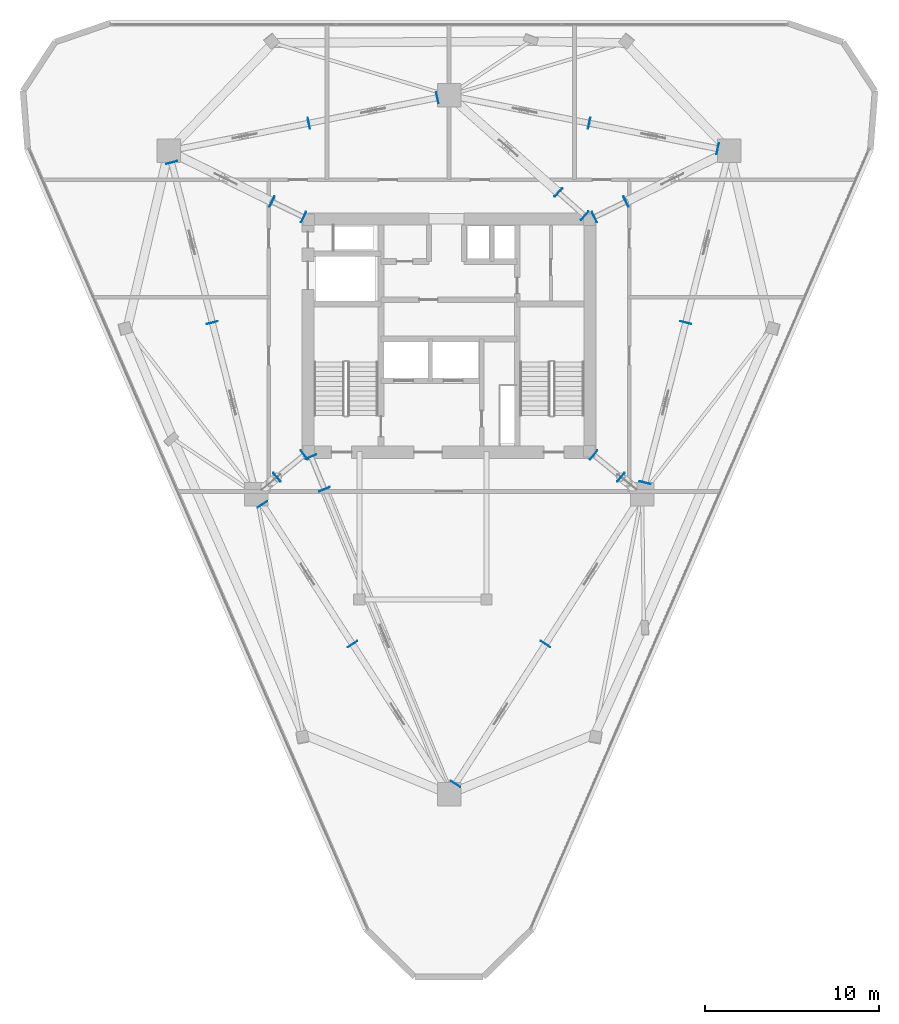
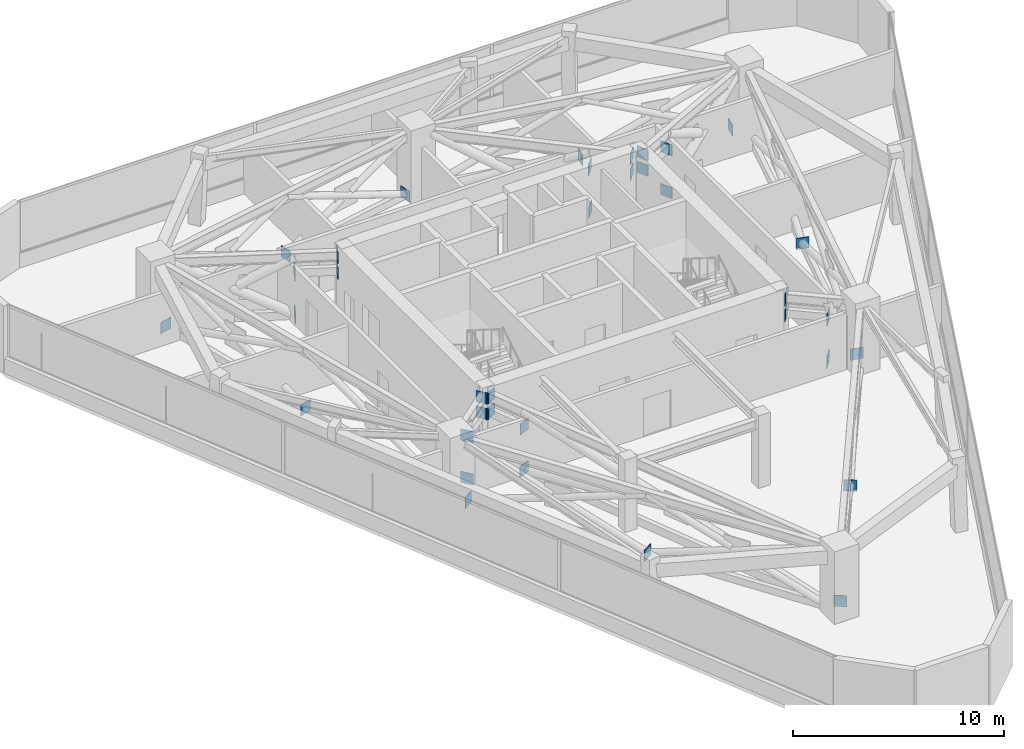
# One storey, part 9 of 12: 36 plates.
"""IFC4 building model written with IfcOpenShell, lengths in metres."""

from ifc_helpers import new_model, si_unit, direction, frame, origin, origin_2d, place, context, subcontext, project, spatial, rectangle, extrude, material, layer, layer_set, type_object, element, save


model = new_model("IFC4")

# Units and contexts
model_context = context("Model", 3, precision=1e-05, world=origin(), true_north=direction((0.0, 1.0)))
body_context = subcontext(model_context, "Body", "Model", "MODEL_VIEW")
ifc_project = project(units=[si_unit("LENGTHUNIT", "METRE"), si_unit("AREAUNIT", "SQUARE_METRE"), si_unit("VOLUMEUNIT", "CUBIC_METRE"), si_unit("PLANEANGLEUNIT", "RADIAN"), si_unit("MASSUNIT", "GRAM", prefix="KILO")], contexts=[model_context])

# Site, building, storey
site_placement = place(None, origin())
site = spatial("IfcSite", under=ifc_project, at=site_placement, CompositionType="ELEMENT")
building_placement = place(site_placement, origin())
building = spatial("IfcBuilding", under=site, at=building_placement, Name="Talyreon Biosciences Tower", CompositionType="ELEMENT")
storey_placement = place(building_placement, frame((0.0, 0.0, 223.199951171875)))
storey = spatial("IfcBuildingStorey", under=building, at=storey_placement, Name="L59", CompositionType="ELEMENT", Elevation=223.199951171875)

# Plates
ifc_material = material(Name="Steel SM355", Category="steel")
ifc_layer = layer(ifc_material, 0.028076171875)
ifc_layer_set = layer_set([ifc_layer], Name="Steel SM355")
plate_type = type_object("IfcPlateType", Name="HollowEndCapPlate_28", PredefinedType="SHEET", material=ifc_layer_set)
for number, where, z_axis, x_axis, name in (
    (1, (58.076904296875, 61.039794921875, 3.275146484375), (0.0, 0.0, 1.0), (0.925580150933, 0.378551692902, 0.0), "Truss node plate NP-L59-OC-1"),
    (2, (58.076904296875, 61.039794921875, 2.375), (0.0, 0.0, 1.0), (0.925580150933, 0.378551692902, 0.0), "Truss node plate NP-L59-OCM0-1"),
    (3, (58.844970703125, 59.161865234375, 2.375), (0.0, 0.0, 1.0), (0.925580150933, 0.378551692902, 0.0), "Truss node plate NP-L59-OCM1-1"),
    (4, (58.839599609375, 59.1748046875, -0.0849609375), (0.0, 0.0, 1.0), (0.925586757766, 0.378535538423, 0.0), "Truss node plate NP-OUT-L59-R1-E"),
    (5, (74.309814453125, 61.138671875, 3.275146484375), (0.0, 0.0, 1.0), (0.631000821652, 0.775782162127, 0.0), "Truss node plate NP-L59-OC-2"),
    (6, (74.309814453125, 61.138671875, 2.375), (0.0, 0.0, 1.0), (0.631000821652, 0.775782162127, 0.0), "Truss node plate NP-L59-OCM0-2"),
    (7, (75.884033203125, 59.8583984375, 2.375), (0.0, 0.0, 1.0), (0.631000821652, 0.775782162127, 0.0), "Truss node plate NP-L59-OCM1-2"),
    (8, (75.873046875, 59.8671875, -0.0849609375), (0.0, 0.0, 1.0), (0.631014361508, 0.775771148967, 0.0), "Truss node plate NP-OUT-L59-R2-E"),
    (9, (74.350830078125, 74.797607421875, 3.275146484375), (0.0, 0.0, 1.0), (-0.440283955252, 0.89785858505, 0.0), "Truss node plate NP-L59-OC-3"),
    (10, (74.350830078125, 74.797607421875, 2.375), (0.0, 0.0, 1.0), (-0.440283955252, 0.89785858505, 0.0), "Truss node plate NP-L59-OCM0-3"),
    (11, (76.172607421875, 75.69091796875, 2.375), (0.0, 0.0, 1.0), (-0.440283955252, 0.89785858505, 0.0), "Truss node plate NP-L59-OCM1-3"),
    (12, (76.159912109375, 75.684814453125, -0.0849609375), (0.0, 0.0, 1.0), (-0.440283955252, 0.89785858505, 0.0), "Truss node plate NP-OUT-L59-R3-E"),
    (13, (73.79931640625, 74.872314453125, 3.275146484375), (0.0, 0.0, 1.0), (-0.663495401773, -0.748180360492, 0.0), "Truss node plate NP-L59-OC-4"),
    (14, (73.79931640625, 74.872314453125, 2.375), (0.0, 0.0, 1.0), (-0.663495401773, -0.748180360492, 0.0), "Truss node plate NP-L59-OCM0-4"),
    (15, (72.28125, 76.218505859375, 2.375), (0.0, 0.0, 1.0), (-0.663495401773, -0.748180360492, 0.0), "Truss node plate NP-L59-OCM1-4"),
    (16, (72.291748046875, 76.209228515625, -0.0849609375), (0.0, 0.0, 1.0), (-0.663495401773, -0.748180360492, 0.0), "Truss node plate NP-OUT-L59-R4-E"),
    (17, (57.649169921875, 74.797607421875, 3.275146484375), (0.0, 0.0, 1.0), (-0.440283955252, -0.89785858505, 0.0), "Truss node plate NP-L59-OC-5"),
    (18, (57.649169921875, 74.797607421875, 2.375), (0.0, 0.0, 1.0), (-0.440283955252, -0.89785858505, 0.0), "Truss node plate NP-L59-OCM0-5"),
    (19, (55.827392578125, 75.69091796875, 2.375), (0.0, 0.0, 1.0), (-0.440283955252, -0.89785858505, 0.0), "Truss node plate NP-L59-OCM1-5"),
    (20, (55.840087890625, 75.684814453125, -0.0849609375), (0.0, 0.0, 1.0), (-0.440283955252, -0.89785858505, 0.0), "Truss node plate NP-OUT-L59-R5-E"),
    (21, (57.690185546875, 61.138671875, 3.275146484375), (0.0, 0.0, 1.0), (0.631000821652, -0.775782162127, 0.0), "Truss node plate NP-L59-OC-6"),
    (22, (57.690185546875, 61.138671875, 2.375), (0.0, 0.0, 1.0), (0.631000821652, -0.775782162127, 0.0), "Truss node plate NP-L59-OCM0-6"),
    (23, (56.115966796875, 59.8583984375, 2.375), (0.0, 0.0, 1.0), (0.631000821652, -0.775782162127, 0.0), "Truss node plate NP-L59-OCM1-6"),
    (24, (56.126953125, 59.8671875, -0.0849609375), (0.0, 0.0, 1.0), (0.631014361508, -0.775771148967, 0.0), "Truss node plate NP-OUT-L59-R6-E"),
    (25, (66.370849609375, 42.242919921875, -0.0849609375), (0.0, 0.0, 1.0), (-0.840727294555, 0.54145878531, 0.0), "Truss node plate NP-BELT-L59-B1S1-E"),
    (26, (71.543212890625, 50.273681640625, -0.0849609375), (0.0, 0.0, 1.0), (-0.840727294555, 0.54145878531, 0.0), "Truss node plate NP-BELT-L59-B1S2-E"),
    (27, (77.255126953125, 59.544189453125, -0.0849609375), (0.0, 0.0, 1.0), (-0.969132019352, 0.246542347409, 0.0), "Truss node plate NP-BELT-L59-B2S1-E"),
    (28, (79.59423828125, 68.739501953125, -0.0849609375), (0.0, 0.0, 1.0), (-0.969132019352, 0.246542347409, 0.0), "Truss node plate NP-BELT-L59-B2S2-E"),
    (29, (81.430419921875, 78.731689453125, -0.0849609375), (0.0, 0.0, 1.0), (-0.194337075538, -0.980934809797, 0.0), "Truss node plate NP-BELT-L59-B3S1-E"),
    (30, (74.05126953125, 80.19384765625, -0.0849609375), (0.0, 0.0, 1.0), (-0.194337075538, -0.980934809797, 0.0), "Truss node plate NP-BELT-L59-B3S2-E"),
    (31, (65.328125, 81.65576171875, -0.0849609375), (0.0, 0.0, 1.0), (0.194337075538, -0.980934809797, 0.0), "Truss node plate NP-BELT-L59-B4S1-E"),
    (32, (57.94873046875, 80.19384765625, -0.0849609375), (0.0, 0.0, 1.0), (0.194337075538, -0.980934809797, 0.0), "Truss node plate NP-BELT-L59-B4S2-E"),
    (33, (50.06640625, 77.934814453125, -0.0849609375), (0.0, 0.0, 1.0), (0.969132019352, 0.246542347409, 0.0), "Truss node plate NP-BELT-L59-B5S1-E"),
    (34, (52.40576171875, 68.739501953125, -0.0849609375), (0.0, 0.0, 1.0), (0.969132019352, 0.246542347409, 0.0), "Truss node plate NP-BELT-L59-B5S2-E"),
    (35, (55.28466796875, 58.304443359375, -0.0849609375), (0.0, 0.0, 1.0), (0.840727294555, 0.54145878531, 0.0), "Truss node plate NP-BELT-L59-B6S1-E"),
    (36, (60.456787109375, 50.273681640625, -0.0849609375), (0.0, 0.0, 1.0), (0.840727294555, 0.54145878531, 0.0), "Truss node plate NP-BELT-L59-B6S2-E"),
):
    element("IfcPlate", number, at=place(storey_placement, frame(where, z_axis=z_axis, x_axis=x_axis)), inside=storey, type_object=plate_type, Name=name, PredefinedType="SHEET", context=body_context, shape_type="SweptSolid", body=[
        extrude(rectangle(XDim=0.64990234375, YDim=0.028076171875, at=origin_2d()), origin(), (0.0, 0.0, 1.0), 0.64990234375),
    ])

save(model, "model.ifc")
